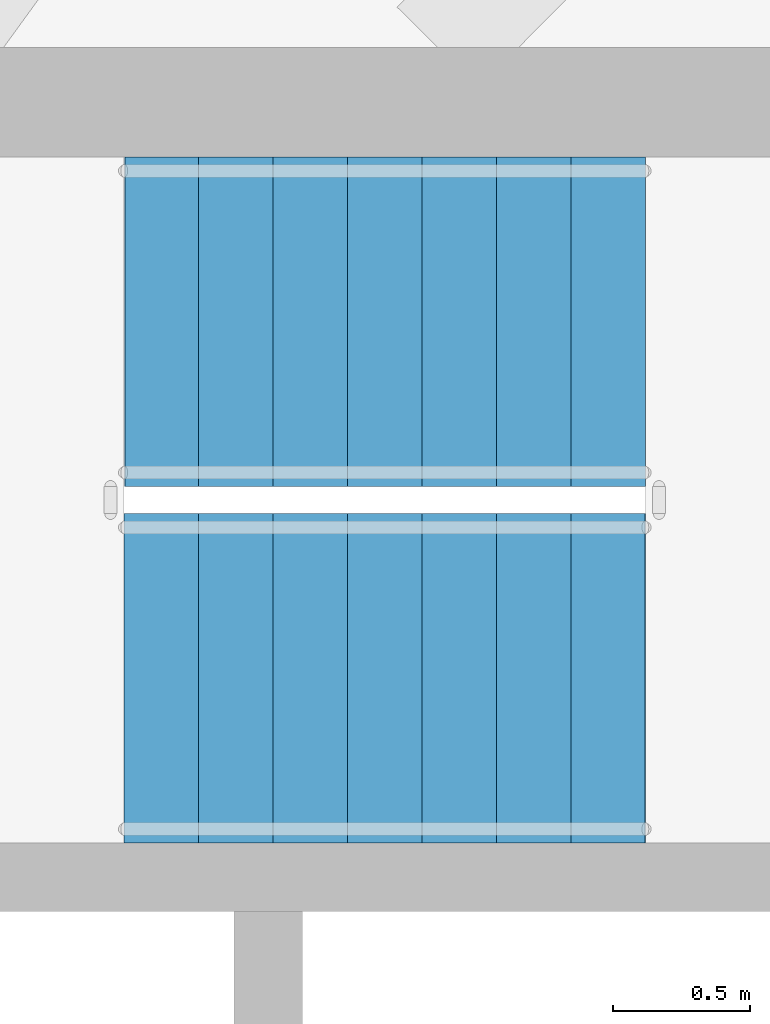
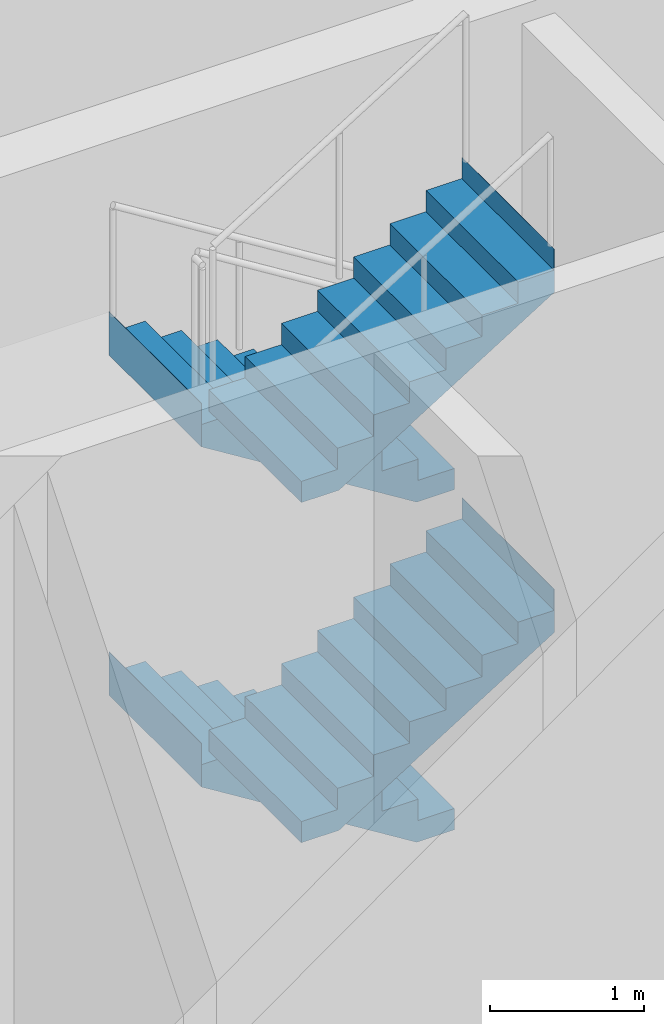
# One storey, part 10 of 17: 4 stair flights, 1 element without a shape of its own.
"""IFC4 building model written with IfcOpenShell, lengths in metres."""

from ifc_helpers import new_model, si_unit, direction, frame, origin, place, context, subcontext, project, spatial, triangles, material, type_object, element, aggregate, save


model = new_model("IFC4")

# Units and contexts
model_context = context("Model", 3, precision=1e-05, world=origin(), true_north=direction((0.0, 1.0)))
body_context = subcontext(model_context, "Body", "Model", "MODEL_VIEW")
ifc_project = project(units=[si_unit("LENGTHUNIT", "METRE"), si_unit("AREAUNIT", "SQUARE_METRE"), si_unit("VOLUMEUNIT", "CUBIC_METRE"), si_unit("PLANEANGLEUNIT", "RADIAN"), si_unit("MASSUNIT", "GRAM", prefix="KILO")], contexts=[model_context])

# Site, building, storey
site_placement = place(None, origin())
site = spatial("IfcSite", under=ifc_project, at=site_placement, CompositionType="ELEMENT")
building_placement = place(site_placement, origin())
building = spatial("IfcBuilding", under=site, at=building_placement, Name="Sahrelin Media Tower", CompositionType="ELEMENT")
storey_placement = place(building_placement, frame((0.0, 0.0, 249.60009765625)))
storey = spatial("IfcBuildingStorey", under=building, at=storey_placement, Name="L54", CompositionType="ELEMENT", Elevation=249.60009765625)

# Stair, stair flights
ifc_material = material(Name="Concrete C40/50", Category="concrete")
stair_type = type_object("IfcStairType", Name="Exit stair 1200", PredefinedType="HALF_TURN_STAIR", material=ifc_material)
stair_placement = place(storey_placement, origin())
stair = element("IfcStair", 1, at=stair_placement, inside=storey, type_object=stair_type, Name="L54 Exit stair ST3", PredefinedType="HALF_TURN_STAIR")
stair_flight_type = type_object("IfcStairFlightType", Name="Stair flight 1200", PredefinedType="STRAIGHT", material=ifc_material)
stair_flight_1_placement = place(storey_placement, frame((7.675048828125, 6.0, 0.0), z_axis=(0.0, 0.0, 1.0), x_axis=(-1.0, 0.0, 0.0)))
stair_flight_1 = element("IfcStairFlight", 2, at=stair_flight_1_placement, type_object=stair_flight_type, Name="ST3 flight 1", NumberOfRisers=8, NumberOfTreads=7, PredefinedType="STRAIGHT", RiserHeight=0.16875, TreadLength=0.271428571, context=body_context, shape_type="Tessellation", body=[
    triangles([(0.283935546875, 0.60009765625, 0.0), (0.283935546875, 0.300048828125, 0.0), (0.283935546875, 0.0, 0.0), (0.283935546875, -0.300048828125, 0.0), (0.283935546875, -0.60009765625, 0.0), (1.89990234375, 0.60009765625, 1.004638671875), (1.89990234375, 0.300048828125, 1.004638671875), (1.89990234375, 0.0, 1.004638671875), (1.89990234375, -0.300048828125, 1.004638671875), (1.89990234375, -0.60009765625, 1.004638671875), (1.89990234375, 0.60009765625, 1.35009765625), (1.89990234375, 0.300048828125, 1.35009765625), (1.89990234375, 0.0, 1.35009765625), (1.89990234375, -0.300048828125, 1.35009765625), (1.89990234375, -0.60009765625, 1.35009765625), (1.89794921875, 0.60009765625, 1.35009765625), (1.89794921875, 0.300048828125, 1.35009765625), (1.89794921875, 0.0, 1.35009765625), (1.89794921875, -0.300048828125, 1.35009765625), (1.89794921875, -0.60009765625, 1.35009765625), (1.89794921875, 0.60009765625, 1.18115234375), (1.89794921875, 0.300048828125, 1.18115234375), (1.89794921875, 0.0, 1.18115234375), (1.89794921875, -0.300048828125, 1.18115234375), (1.89794921875, -0.60009765625, 1.18115234375), (1.628662109375, 0.60009765625, 1.18115234375), (1.628662109375, 0.300048828125, 1.18115234375), (1.628662109375, 0.0, 1.18115234375), (1.628662109375, -0.300048828125, 1.18115234375), (1.628662109375, -0.60009765625, 1.18115234375), (1.628662109375, 0.60009765625, 1.012451171875), (1.628662109375, 0.300048828125, 1.012451171875), (1.628662109375, 0.0, 1.012451171875), (1.628662109375, -0.300048828125, 1.012451171875), (1.628662109375, -0.60009765625, 1.012451171875), (1.357177734375, 0.60009765625, 1.012451171875), (1.357177734375, 0.300048828125, 1.012451171875), (1.357177734375, 0.0, 1.012451171875), (1.357177734375, -0.300048828125, 1.012451171875), (1.357177734375, -0.60009765625, 1.012451171875), (1.357177734375, 0.60009765625, 0.84375), (1.357177734375, 0.300048828125, 0.84375), (1.357177734375, 0.0, 0.84375), (1.357177734375, -0.300048828125, 0.84375), (1.357177734375, -0.60009765625, 0.84375), (1.085693359375, 0.60009765625, 0.84375), (1.085693359375, 0.300048828125, 0.84375), (1.085693359375, 0.0, 0.84375), (1.085693359375, -0.300048828125, 0.84375), (1.085693359375, -0.60009765625, 0.84375), (1.085693359375, 0.60009765625, 0.675048828125), (1.085693359375, 0.300048828125, 0.675048828125), (1.085693359375, 0.0, 0.675048828125), (1.085693359375, -0.300048828125, 0.675048828125), (1.085693359375, -0.60009765625, 0.675048828125), (0.814208984375, 0.60009765625, 0.675048828125), (0.814208984375, 0.300048828125, 0.675048828125), (0.814208984375, 0.0, 0.675048828125), (0.814208984375, -0.300048828125, 0.675048828125), (0.814208984375, -0.60009765625, 0.675048828125), (0.814208984375, 0.60009765625, 0.50634765625), (0.814208984375, 0.300048828125, 0.50634765625), (0.814208984375, 0.0, 0.50634765625), (0.814208984375, -0.300048828125, 0.50634765625), (0.814208984375, -0.60009765625, 0.50634765625), (0.54296875, 0.60009765625, 0.50634765625), (0.54296875, 0.300048828125, 0.50634765625), (0.54296875, 0.0, 0.50634765625), (0.54296875, -0.300048828125, 0.50634765625), (0.54296875, -0.60009765625, 0.50634765625), (0.54296875, 0.60009765625, 0.33740234375), (0.54296875, 0.300048828125, 0.33740234375), (0.54296875, 0.0, 0.33740234375), (0.54296875, -0.300048828125, 0.33740234375), (0.54296875, -0.60009765625, 0.33740234375), (0.271484375, 0.60009765625, 0.33740234375), (0.271484375, 0.300048828125, 0.33740234375), (0.271484375, 0.0, 0.33740234375), (0.271484375, -0.300048828125, 0.33740234375), (0.271484375, -0.60009765625, 0.33740234375), (0.271484375, 0.60009765625, 0.168701171875), (0.271484375, 0.300048828125, 0.168701171875), (0.271484375, 0.0, 0.168701171875), (0.271484375, -0.300048828125, 0.168701171875), (0.271484375, -0.60009765625, 0.168701171875), (0.0, 0.60009765625, 0.168701171875), (0.0, 0.300048828125, 0.168701171875), (0.0, 0.0, 0.168701171875), (0.0, -0.300048828125, 0.168701171875), (0.0, -0.60009765625, 0.168701171875), (0.0, 0.60009765625, 0.0), (0.0, 0.300048828125, 0.0), (0.0, 0.0, 0.0), (0.0, -0.300048828125, 0.0), (0.0, -0.60009765625, 0.0)], [[1, 6, 7], [1, 7, 2], [2, 7, 8], [2, 8, 3], [3, 8, 9], [3, 9, 4], [4, 9, 10], [4, 10, 5], [6, 11, 12], [6, 12, 7], [7, 12, 13], [7, 13, 8], [8, 13, 14], [8, 14, 9], [9, 14, 15], [9, 15, 10], [11, 16, 17], [11, 17, 12], [12, 17, 18], [12, 18, 13], [13, 18, 19], [13, 19, 14], [14, 19, 20], [14, 20, 15], [16, 21, 22], [16, 22, 17], [17, 22, 23], [17, 23, 18], [18, 23, 24], [18, 24, 19], [19, 24, 25], [19, 25, 20], [21, 26, 27], [21, 27, 22], [22, 27, 28], [22, 28, 23], [23, 28, 29], [23, 29, 24], [24, 29, 30], [24, 30, 25], [26, 31, 32], [26, 32, 27], [27, 32, 33], [27, 33, 28], [28, 33, 34], [28, 34, 29], [29, 34, 35], [29, 35, 30], [31, 36, 37], [31, 37, 32], [32, 37, 38], [32, 38, 33], [33, 38, 39], [33, 39, 34], [34, 39, 40], [34, 40, 35], [36, 41, 42], [36, 42, 37], [37, 42, 43], [37, 43, 38], [38, 43, 44], [38, 44, 39], [39, 44, 45], [39, 45, 40], [41, 46, 47], [41, 47, 42], [42, 47, 48], [42, 48, 43], [43, 48, 49], [43, 49, 44], [44, 49, 50], [44, 50, 45], [46, 51, 52], [46, 52, 47], [47, 52, 53], [47, 53, 48], [48, 53, 54], [48, 54, 49], [49, 54, 55], [49, 55, 50], [51, 56, 57], [51, 57, 52], [52, 57, 58], [52, 58, 53], [53, 58, 59], [53, 59, 54], [54, 59, 60], [54, 60, 55], [56, 61, 62], [56, 62, 57], [57, 62, 63], [57, 63, 58], [58, 63, 64], [58, 64, 59], [59, 64, 65], [59, 65, 60], [61, 66, 67], [61, 67, 62], [62, 67, 68], [62, 68, 63], [63, 68, 69], [63, 69, 64], [64, 69, 70], [64, 70, 65], [66, 71, 72], [66, 72, 67], [67, 72, 73], [67, 73, 68], [68, 73, 74], [68, 74, 69], [69, 74, 75], [69, 75, 70], [71, 76, 77], [71, 77, 72], [72, 77, 78], [72, 78, 73], [73, 78, 79], [73, 79, 74], [74, 79, 80], [74, 80, 75], [76, 81, 82], [76, 82, 77], [77, 82, 83], [77, 83, 78], [78, 83, 84], [78, 84, 79], [79, 84, 85], [79, 85, 80], [81, 86, 87], [81, 87, 82], [82, 87, 88], [82, 88, 83], [83, 88, 89], [83, 89, 84], [84, 89, 90], [84, 90, 85], [86, 91, 92], [86, 92, 87], [87, 92, 93], [87, 93, 88], [88, 93, 94], [88, 94, 89], [89, 94, 95], [89, 95, 90], [91, 1, 2], [91, 2, 92], [92, 2, 3], [92, 3, 93], [93, 3, 4], [93, 4, 94], [94, 4, 5], [94, 5, 95], [85, 90, 95], [81, 91, 86], [85, 75, 80], [81, 76, 71], [75, 65, 70], [71, 66, 61], [65, 55, 60], [61, 56, 51], [55, 45, 50], [51, 46, 41], [45, 35, 40], [41, 36, 31], [35, 25, 30], [31, 26, 21], [25, 15, 20], [21, 16, 11], [95, 5, 85], [91, 81, 1], [5, 55, 65], [1, 61, 51], [25, 10, 15], [21, 11, 6], [75, 85, 5], [71, 1, 81], [10, 45, 55], [6, 51, 41], [35, 10, 25], [31, 21, 6], [65, 75, 5], [61, 1, 71], [45, 10, 35], [41, 31, 6], [5, 10, 55], [1, 51, 6]], closed=True),
])
stair_flight_2_placement = place(storey_placement, frame((5.77490234375, 4.699951171875, 1.349853515625), z_axis=(0.0, 0.0, 1.0), x_axis=(1.0, 0.0, 0.0)))
stair_flight_2 = element("IfcStairFlight", 3, at=stair_flight_2_placement, type_object=stair_flight_type, Name="ST3 flight 2", NumberOfRisers=8, NumberOfTreads=7, PredefinedType="STRAIGHT", RiserHeight=0.16875, TreadLength=0.271428571, context=body_context, shape_type="Tessellation", body=[
    triangles([(0.283935546875, 0.60009765625, 0.0), (0.283935546875, 0.300048828125, 0.0), (0.283935546875, 0.0, 0.0), (0.283935546875, -0.300048828125, 0.0), (0.283935546875, -0.60009765625, 0.0), (1.89990234375, 0.60009765625, 1.004638671875), (1.89990234375, 0.300048828125, 1.004638671875), (1.89990234375, 0.0, 1.004638671875), (1.89990234375, -0.300048828125, 1.004638671875), (1.89990234375, -0.60009765625, 1.004638671875), (1.89990234375, 0.60009765625, 1.35009765625), (1.89990234375, 0.300048828125, 1.35009765625), (1.89990234375, 0.0, 1.35009765625), (1.89990234375, -0.300048828125, 1.35009765625), (1.89990234375, -0.60009765625, 1.35009765625), (1.89794921875, 0.60009765625, 1.35009765625), (1.89794921875, 0.300048828125, 1.35009765625), (1.89794921875, 0.0, 1.35009765625), (1.89794921875, -0.300048828125, 1.35009765625), (1.89794921875, -0.60009765625, 1.35009765625), (1.89794921875, 0.60009765625, 1.18115234375), (1.89794921875, 0.300048828125, 1.18115234375), (1.89794921875, 0.0, 1.18115234375), (1.89794921875, -0.300048828125, 1.18115234375), (1.89794921875, -0.60009765625, 1.18115234375), (1.628662109375, 0.60009765625, 1.18115234375), (1.628662109375, 0.300048828125, 1.18115234375), (1.628662109375, 0.0, 1.18115234375), (1.628662109375, -0.300048828125, 1.18115234375), (1.628662109375, -0.60009765625, 1.18115234375), (1.628662109375, 0.60009765625, 1.012451171875), (1.628662109375, 0.300048828125, 1.012451171875), (1.628662109375, 0.0, 1.012451171875), (1.628662109375, -0.300048828125, 1.012451171875), (1.628662109375, -0.60009765625, 1.012451171875), (1.357177734375, 0.60009765625, 1.012451171875), (1.357177734375, 0.300048828125, 1.012451171875), (1.357177734375, 0.0, 1.012451171875), (1.357177734375, -0.300048828125, 1.012451171875), (1.357177734375, -0.60009765625, 1.012451171875), (1.357177734375, 0.60009765625, 0.84375), (1.357177734375, 0.300048828125, 0.84375), (1.357177734375, 0.0, 0.84375), (1.357177734375, -0.300048828125, 0.84375), (1.357177734375, -0.60009765625, 0.84375), (1.085693359375, 0.60009765625, 0.84375), (1.085693359375, 0.300048828125, 0.84375), (1.085693359375, 0.0, 0.84375), (1.085693359375, -0.300048828125, 0.84375), (1.085693359375, -0.60009765625, 0.84375), (1.085693359375, 0.60009765625, 0.675048828125), (1.085693359375, 0.300048828125, 0.675048828125), (1.085693359375, 0.0, 0.675048828125), (1.085693359375, -0.300048828125, 0.675048828125), (1.085693359375, -0.60009765625, 0.675048828125), (0.814208984375, 0.60009765625, 0.675048828125), (0.814208984375, 0.300048828125, 0.675048828125), (0.814208984375, 0.0, 0.675048828125), (0.814208984375, -0.300048828125, 0.675048828125), (0.814208984375, -0.60009765625, 0.675048828125), (0.814208984375, 0.60009765625, 0.50634765625), (0.814208984375, 0.300048828125, 0.50634765625), (0.814208984375, 0.0, 0.50634765625), (0.814208984375, -0.300048828125, 0.50634765625), (0.814208984375, -0.60009765625, 0.50634765625), (0.54296875, 0.60009765625, 0.50634765625), (0.54296875, 0.300048828125, 0.50634765625), (0.54296875, 0.0, 0.50634765625), (0.54296875, -0.300048828125, 0.50634765625), (0.54296875, -0.60009765625, 0.50634765625), (0.54296875, 0.60009765625, 0.33740234375), (0.54296875, 0.300048828125, 0.33740234375), (0.54296875, 0.0, 0.33740234375), (0.54296875, -0.300048828125, 0.33740234375), (0.54296875, -0.60009765625, 0.33740234375), (0.271484375, 0.60009765625, 0.33740234375), (0.271484375, 0.300048828125, 0.33740234375), (0.271484375, 0.0, 0.33740234375), (0.271484375, -0.300048828125, 0.33740234375), (0.271484375, -0.60009765625, 0.33740234375), (0.271484375, 0.60009765625, 0.168701171875), (0.271484375, 0.300048828125, 0.168701171875), (0.271484375, 0.0, 0.168701171875), (0.271484375, -0.300048828125, 0.168701171875), (0.271484375, -0.60009765625, 0.168701171875), (0.0, 0.60009765625, 0.168701171875), (0.0, 0.300048828125, 0.168701171875), (0.0, 0.0, 0.168701171875), (0.0, -0.300048828125, 0.168701171875), (0.0, -0.60009765625, 0.168701171875), (0.0, 0.60009765625, 0.0), (0.0, 0.300048828125, 0.0), (0.0, 0.0, 0.0), (0.0, -0.300048828125, 0.0), (0.0, -0.60009765625, 0.0)], [[1, 6, 7], [1, 7, 2], [2, 7, 8], [2, 8, 3], [3, 8, 9], [3, 9, 4], [4, 9, 10], [4, 10, 5], [6, 11, 12], [6, 12, 7], [7, 12, 13], [7, 13, 8], [8, 13, 14], [8, 14, 9], [9, 14, 15], [9, 15, 10], [11, 16, 17], [11, 17, 12], [12, 17, 18], [12, 18, 13], [13, 18, 19], [13, 19, 14], [14, 19, 20], [14, 20, 15], [16, 21, 22], [16, 22, 17], [17, 22, 23], [17, 23, 18], [18, 23, 24], [18, 24, 19], [19, 24, 25], [19, 25, 20], [21, 26, 27], [21, 27, 22], [22, 27, 28], [22, 28, 23], [23, 28, 29], [23, 29, 24], [24, 29, 30], [24, 30, 25], [26, 31, 32], [26, 32, 27], [27, 32, 33], [27, 33, 28], [28, 33, 34], [28, 34, 29], [29, 34, 35], [29, 35, 30], [31, 36, 37], [31, 37, 32], [32, 37, 38], [32, 38, 33], [33, 38, 39], [33, 39, 34], [34, 39, 40], [34, 40, 35], [36, 41, 42], [36, 42, 37], [37, 42, 43], [37, 43, 38], [38, 43, 44], [38, 44, 39], [39, 44, 45], [39, 45, 40], [41, 46, 47], [41, 47, 42], [42, 47, 48], [42, 48, 43], [43, 48, 49], [43, 49, 44], [44, 49, 50], [44, 50, 45], [46, 51, 52], [46, 52, 47], [47, 52, 53], [47, 53, 48], [48, 53, 54], [48, 54, 49], [49, 54, 55], [49, 55, 50], [51, 56, 57], [51, 57, 52], [52, 57, 58], [52, 58, 53], [53, 58, 59], [53, 59, 54], [54, 59, 60], [54, 60, 55], [56, 61, 62], [56, 62, 57], [57, 62, 63], [57, 63, 58], [58, 63, 64], [58, 64, 59], [59, 64, 65], [59, 65, 60], [61, 66, 67], [61, 67, 62], [62, 67, 68], [62, 68, 63], [63, 68, 69], [63, 69, 64], [64, 69, 70], [64, 70, 65], [66, 71, 72], [66, 72, 67], [67, 72, 73], [67, 73, 68], [68, 73, 74], [68, 74, 69], [69, 74, 75], [69, 75, 70], [71, 76, 77], [71, 77, 72], [72, 77, 78], [72, 78, 73], [73, 78, 79], [73, 79, 74], [74, 79, 80], [74, 80, 75], [76, 81, 82], [76, 82, 77], [77, 82, 83], [77, 83, 78], [78, 83, 84], [78, 84, 79], [79, 84, 85], [79, 85, 80], [81, 86, 87], [81, 87, 82], [82, 87, 88], [82, 88, 83], [83, 88, 89], [83, 89, 84], [84, 89, 90], [84, 90, 85], [86, 91, 92], [86, 92, 87], [87, 92, 93], [87, 93, 88], [88, 93, 94], [88, 94, 89], [89, 94, 95], [89, 95, 90], [91, 1, 2], [91, 2, 92], [92, 2, 3], [92, 3, 93], [93, 3, 4], [93, 4, 94], [94, 4, 5], [94, 5, 95], [85, 90, 95], [81, 91, 86], [85, 75, 80], [81, 76, 71], [75, 65, 70], [71, 66, 61], [65, 55, 60], [61, 56, 51], [55, 45, 50], [51, 46, 41], [45, 35, 40], [41, 36, 31], [35, 25, 30], [31, 26, 21], [25, 15, 20], [21, 16, 11], [95, 5, 85], [91, 81, 1], [5, 55, 65], [1, 61, 51], [25, 10, 15], [21, 11, 6], [75, 85, 5], [71, 1, 81], [10, 45, 55], [6, 51, 41], [35, 10, 25], [31, 21, 6], [65, 75, 5], [61, 1, 71], [45, 10, 35], [41, 31, 6], [5, 10, 55], [1, 51, 6]], closed=True),
])
stair_flight_3_placement = place(storey_placement, frame((7.675048828125, 6.0, 2.699951171875), z_axis=(0.0, 0.0, 1.0), x_axis=(-1.0, 0.0, 0.0)))
stair_flight_3 = element("IfcStairFlight", 4, at=stair_flight_3_placement, type_object=stair_flight_type, Name="ST3 flight 3", NumberOfRisers=8, NumberOfTreads=7, PredefinedType="STRAIGHT", RiserHeight=0.16875, TreadLength=0.271428571, context=body_context, shape_type="Tessellation", body=[
    triangles([(0.283935546875, 0.60009765625, 0.0), (0.283935546875, 0.300048828125, 0.0), (0.283935546875, 0.0, 0.0), (0.283935546875, -0.300048828125, 0.0), (0.283935546875, -0.60009765625, 0.0), (1.89990234375, 0.60009765625, 1.004638671875), (1.89990234375, 0.300048828125, 1.004638671875), (1.89990234375, 0.0, 1.004638671875), (1.89990234375, -0.300048828125, 1.004638671875), (1.89990234375, -0.60009765625, 1.004638671875), (1.89990234375, 0.60009765625, 1.35009765625), (1.89990234375, 0.300048828125, 1.35009765625), (1.89990234375, 0.0, 1.35009765625), (1.89990234375, -0.300048828125, 1.35009765625), (1.89990234375, -0.60009765625, 1.35009765625), (1.89794921875, 0.60009765625, 1.35009765625), (1.89794921875, 0.300048828125, 1.35009765625), (1.89794921875, 0.0, 1.35009765625), (1.89794921875, -0.300048828125, 1.35009765625), (1.89794921875, -0.60009765625, 1.35009765625), (1.89794921875, 0.60009765625, 1.18115234375), (1.89794921875, 0.300048828125, 1.18115234375), (1.89794921875, 0.0, 1.18115234375), (1.89794921875, -0.300048828125, 1.18115234375), (1.89794921875, -0.60009765625, 1.18115234375), (1.628662109375, 0.60009765625, 1.18115234375), (1.628662109375, 0.300048828125, 1.18115234375), (1.628662109375, 0.0, 1.18115234375), (1.628662109375, -0.300048828125, 1.18115234375), (1.628662109375, -0.60009765625, 1.18115234375), (1.628662109375, 0.60009765625, 1.012451171875), (1.628662109375, 0.300048828125, 1.012451171875), (1.628662109375, 0.0, 1.012451171875), (1.628662109375, -0.300048828125, 1.012451171875), (1.628662109375, -0.60009765625, 1.012451171875), (1.357177734375, 0.60009765625, 1.012451171875), (1.357177734375, 0.300048828125, 1.012451171875), (1.357177734375, 0.0, 1.012451171875), (1.357177734375, -0.300048828125, 1.012451171875), (1.357177734375, -0.60009765625, 1.012451171875), (1.357177734375, 0.60009765625, 0.84375), (1.357177734375, 0.300048828125, 0.84375), (1.357177734375, 0.0, 0.84375), (1.357177734375, -0.300048828125, 0.84375), (1.357177734375, -0.60009765625, 0.84375), (1.085693359375, 0.60009765625, 0.84375), (1.085693359375, 0.300048828125, 0.84375), (1.085693359375, 0.0, 0.84375), (1.085693359375, -0.300048828125, 0.84375), (1.085693359375, -0.60009765625, 0.84375), (1.085693359375, 0.60009765625, 0.675048828125), (1.085693359375, 0.300048828125, 0.675048828125), (1.085693359375, 0.0, 0.675048828125), (1.085693359375, -0.300048828125, 0.675048828125), (1.085693359375, -0.60009765625, 0.675048828125), (0.814208984375, 0.60009765625, 0.675048828125), (0.814208984375, 0.300048828125, 0.675048828125), (0.814208984375, 0.0, 0.675048828125), (0.814208984375, -0.300048828125, 0.675048828125), (0.814208984375, -0.60009765625, 0.675048828125), (0.814208984375, 0.60009765625, 0.50634765625), (0.814208984375, 0.300048828125, 0.50634765625), (0.814208984375, 0.0, 0.50634765625), (0.814208984375, -0.300048828125, 0.50634765625), (0.814208984375, -0.60009765625, 0.50634765625), (0.54296875, 0.60009765625, 0.50634765625), (0.54296875, 0.300048828125, 0.50634765625), (0.54296875, 0.0, 0.50634765625), (0.54296875, -0.300048828125, 0.50634765625), (0.54296875, -0.60009765625, 0.50634765625), (0.54296875, 0.60009765625, 0.33740234375), (0.54296875, 0.300048828125, 0.33740234375), (0.54296875, 0.0, 0.33740234375), (0.54296875, -0.300048828125, 0.33740234375), (0.54296875, -0.60009765625, 0.33740234375), (0.271484375, 0.60009765625, 0.33740234375), (0.271484375, 0.300048828125, 0.33740234375), (0.271484375, 0.0, 0.33740234375), (0.271484375, -0.300048828125, 0.33740234375), (0.271484375, -0.60009765625, 0.33740234375), (0.271484375, 0.60009765625, 0.168701171875), (0.271484375, 0.300048828125, 0.168701171875), (0.271484375, 0.0, 0.168701171875), (0.271484375, -0.300048828125, 0.168701171875), (0.271484375, -0.60009765625, 0.168701171875), (0.0, 0.60009765625, 0.168701171875), (0.0, 0.300048828125, 0.168701171875), (0.0, 0.0, 0.168701171875), (0.0, -0.300048828125, 0.168701171875), (0.0, -0.60009765625, 0.168701171875), (0.0, 0.60009765625, 0.0), (0.0, 0.300048828125, 0.0), (0.0, 0.0, 0.0), (0.0, -0.300048828125, 0.0), (0.0, -0.60009765625, 0.0)], [[1, 6, 7], [1, 7, 2], [2, 7, 8], [2, 8, 3], [3, 8, 9], [3, 9, 4], [4, 9, 10], [4, 10, 5], [6, 11, 12], [6, 12, 7], [7, 12, 13], [7, 13, 8], [8, 13, 14], [8, 14, 9], [9, 14, 15], [9, 15, 10], [11, 16, 17], [11, 17, 12], [12, 17, 18], [12, 18, 13], [13, 18, 19], [13, 19, 14], [14, 19, 20], [14, 20, 15], [16, 21, 22], [16, 22, 17], [17, 22, 23], [17, 23, 18], [18, 23, 24], [18, 24, 19], [19, 24, 25], [19, 25, 20], [21, 26, 27], [21, 27, 22], [22, 27, 28], [22, 28, 23], [23, 28, 29], [23, 29, 24], [24, 29, 30], [24, 30, 25], [26, 31, 32], [26, 32, 27], [27, 32, 33], [27, 33, 28], [28, 33, 34], [28, 34, 29], [29, 34, 35], [29, 35, 30], [31, 36, 37], [31, 37, 32], [32, 37, 38], [32, 38, 33], [33, 38, 39], [33, 39, 34], [34, 39, 40], [34, 40, 35], [36, 41, 42], [36, 42, 37], [37, 42, 43], [37, 43, 38], [38, 43, 44], [38, 44, 39], [39, 44, 45], [39, 45, 40], [41, 46, 47], [41, 47, 42], [42, 47, 48], [42, 48, 43], [43, 48, 49], [43, 49, 44], [44, 49, 50], [44, 50, 45], [46, 51, 52], [46, 52, 47], [47, 52, 53], [47, 53, 48], [48, 53, 54], [48, 54, 49], [49, 54, 55], [49, 55, 50], [51, 56, 57], [51, 57, 52], [52, 57, 58], [52, 58, 53], [53, 58, 59], [53, 59, 54], [54, 59, 60], [54, 60, 55], [56, 61, 62], [56, 62, 57], [57, 62, 63], [57, 63, 58], [58, 63, 64], [58, 64, 59], [59, 64, 65], [59, 65, 60], [61, 66, 67], [61, 67, 62], [62, 67, 68], [62, 68, 63], [63, 68, 69], [63, 69, 64], [64, 69, 70], [64, 70, 65], [66, 71, 72], [66, 72, 67], [67, 72, 73], [67, 73, 68], [68, 73, 74], [68, 74, 69], [69, 74, 75], [69, 75, 70], [71, 76, 77], [71, 77, 72], [72, 77, 78], [72, 78, 73], [73, 78, 79], [73, 79, 74], [74, 79, 80], [74, 80, 75], [76, 81, 82], [76, 82, 77], [77, 82, 83], [77, 83, 78], [78, 83, 84], [78, 84, 79], [79, 84, 85], [79, 85, 80], [81, 86, 87], [81, 87, 82], [82, 87, 88], [82, 88, 83], [83, 88, 89], [83, 89, 84], [84, 89, 90], [84, 90, 85], [86, 91, 92], [86, 92, 87], [87, 92, 93], [87, 93, 88], [88, 93, 94], [88, 94, 89], [89, 94, 95], [89, 95, 90], [91, 1, 2], [91, 2, 92], [92, 2, 3], [92, 3, 93], [93, 3, 4], [93, 4, 94], [94, 4, 5], [94, 5, 95], [85, 90, 95], [81, 91, 86], [85, 75, 80], [81, 76, 71], [75, 65, 70], [71, 66, 61], [65, 55, 60], [61, 56, 51], [55, 45, 50], [51, 46, 41], [45, 35, 40], [41, 36, 31], [35, 25, 30], [31, 26, 21], [25, 15, 20], [21, 16, 11], [95, 5, 85], [91, 81, 1], [5, 55, 65], [1, 61, 51], [25, 10, 15], [21, 11, 6], [75, 85, 5], [71, 1, 81], [10, 45, 55], [6, 51, 41], [35, 10, 25], [31, 21, 6], [65, 75, 5], [61, 1, 71], [45, 10, 35], [41, 31, 6], [5, 10, 55], [1, 51, 6]], closed=True),
])
stair_flight_4_placement = place(storey_placement, frame((5.77490234375, 4.699951171875, 4.0498046875), z_axis=(0.0, 0.0, 1.0), x_axis=(1.0, 0.0, 0.0)))
stair_flight_4 = element("IfcStairFlight", 5, at=stair_flight_4_placement, type_object=stair_flight_type, Name="ST3 flight 4", NumberOfRisers=8, NumberOfTreads=7, PredefinedType="STRAIGHT", RiserHeight=0.16875, TreadLength=0.271428571, context=body_context, shape_type="Tessellation", body=[
    triangles([(0.283935546875, 0.60009765625, 0.0), (0.283935546875, 0.300048828125, 0.0), (0.283935546875, 0.0, 0.0), (0.283935546875, -0.300048828125, 0.0), (0.283935546875, -0.60009765625, 0.0), (1.89990234375, 0.60009765625, 1.004638671875), (1.89990234375, 0.300048828125, 1.004638671875), (1.89990234375, 0.0, 1.004638671875), (1.89990234375, -0.300048828125, 1.004638671875), (1.89990234375, -0.60009765625, 1.004638671875), (1.89990234375, 0.60009765625, 1.35009765625), (1.89990234375, 0.300048828125, 1.35009765625), (1.89990234375, 0.0, 1.35009765625), (1.89990234375, -0.300048828125, 1.35009765625), (1.89990234375, -0.60009765625, 1.35009765625), (1.89794921875, 0.60009765625, 1.35009765625), (1.89794921875, 0.300048828125, 1.35009765625), (1.89794921875, 0.0, 1.35009765625), (1.89794921875, -0.300048828125, 1.35009765625), (1.89794921875, -0.60009765625, 1.35009765625), (1.89794921875, 0.60009765625, 1.18115234375), (1.89794921875, 0.300048828125, 1.18115234375), (1.89794921875, 0.0, 1.18115234375), (1.89794921875, -0.300048828125, 1.18115234375), (1.89794921875, -0.60009765625, 1.18115234375), (1.628662109375, 0.60009765625, 1.18115234375), (1.628662109375, 0.300048828125, 1.18115234375), (1.628662109375, 0.0, 1.18115234375), (1.628662109375, -0.300048828125, 1.18115234375), (1.628662109375, -0.60009765625, 1.18115234375), (1.628662109375, 0.60009765625, 1.012451171875), (1.628662109375, 0.300048828125, 1.012451171875), (1.628662109375, 0.0, 1.012451171875), (1.628662109375, -0.300048828125, 1.012451171875), (1.628662109375, -0.60009765625, 1.012451171875), (1.357177734375, 0.60009765625, 1.012451171875), (1.357177734375, 0.300048828125, 1.012451171875), (1.357177734375, 0.0, 1.012451171875), (1.357177734375, -0.300048828125, 1.012451171875), (1.357177734375, -0.60009765625, 1.012451171875), (1.357177734375, 0.60009765625, 0.84375), (1.357177734375, 0.300048828125, 0.84375), (1.357177734375, 0.0, 0.84375), (1.357177734375, -0.300048828125, 0.84375), (1.357177734375, -0.60009765625, 0.84375), (1.085693359375, 0.60009765625, 0.84375), (1.085693359375, 0.300048828125, 0.84375), (1.085693359375, 0.0, 0.84375), (1.085693359375, -0.300048828125, 0.84375), (1.085693359375, -0.60009765625, 0.84375), (1.085693359375, 0.60009765625, 0.675048828125), (1.085693359375, 0.300048828125, 0.675048828125), (1.085693359375, 0.0, 0.675048828125), (1.085693359375, -0.300048828125, 0.675048828125), (1.085693359375, -0.60009765625, 0.675048828125), (0.814208984375, 0.60009765625, 0.675048828125), (0.814208984375, 0.300048828125, 0.675048828125), (0.814208984375, 0.0, 0.675048828125), (0.814208984375, -0.300048828125, 0.675048828125), (0.814208984375, -0.60009765625, 0.675048828125), (0.814208984375, 0.60009765625, 0.50634765625), (0.814208984375, 0.300048828125, 0.50634765625), (0.814208984375, 0.0, 0.50634765625), (0.814208984375, -0.300048828125, 0.50634765625), (0.814208984375, -0.60009765625, 0.50634765625), (0.54296875, 0.60009765625, 0.50634765625), (0.54296875, 0.300048828125, 0.50634765625), (0.54296875, 0.0, 0.50634765625), (0.54296875, -0.300048828125, 0.50634765625), (0.54296875, -0.60009765625, 0.50634765625), (0.54296875, 0.60009765625, 0.33740234375), (0.54296875, 0.300048828125, 0.33740234375), (0.54296875, 0.0, 0.33740234375), (0.54296875, -0.300048828125, 0.33740234375), (0.54296875, -0.60009765625, 0.33740234375), (0.271484375, 0.60009765625, 0.33740234375), (0.271484375, 0.300048828125, 0.33740234375), (0.271484375, 0.0, 0.33740234375), (0.271484375, -0.300048828125, 0.33740234375), (0.271484375, -0.60009765625, 0.33740234375), (0.271484375, 0.60009765625, 0.168701171875), (0.271484375, 0.300048828125, 0.168701171875), (0.271484375, 0.0, 0.168701171875), (0.271484375, -0.300048828125, 0.168701171875), (0.271484375, -0.60009765625, 0.168701171875), (0.0, 0.60009765625, 0.168701171875), (0.0, 0.300048828125, 0.168701171875), (0.0, 0.0, 0.168701171875), (0.0, -0.300048828125, 0.168701171875), (0.0, -0.60009765625, 0.168701171875), (0.0, 0.60009765625, 0.0), (0.0, 0.300048828125, 0.0), (0.0, 0.0, 0.0), (0.0, -0.300048828125, 0.0), (0.0, -0.60009765625, 0.0)], [[1, 6, 7], [1, 7, 2], [2, 7, 8], [2, 8, 3], [3, 8, 9], [3, 9, 4], [4, 9, 10], [4, 10, 5], [6, 11, 12], [6, 12, 7], [7, 12, 13], [7, 13, 8], [8, 13, 14], [8, 14, 9], [9, 14, 15], [9, 15, 10], [11, 16, 17], [11, 17, 12], [12, 17, 18], [12, 18, 13], [13, 18, 19], [13, 19, 14], [14, 19, 20], [14, 20, 15], [16, 21, 22], [16, 22, 17], [17, 22, 23], [17, 23, 18], [18, 23, 24], [18, 24, 19], [19, 24, 25], [19, 25, 20], [21, 26, 27], [21, 27, 22], [22, 27, 28], [22, 28, 23], [23, 28, 29], [23, 29, 24], [24, 29, 30], [24, 30, 25], [26, 31, 32], [26, 32, 27], [27, 32, 33], [27, 33, 28], [28, 33, 34], [28, 34, 29], [29, 34, 35], [29, 35, 30], [31, 36, 37], [31, 37, 32], [32, 37, 38], [32, 38, 33], [33, 38, 39], [33, 39, 34], [34, 39, 40], [34, 40, 35], [36, 41, 42], [36, 42, 37], [37, 42, 43], [37, 43, 38], [38, 43, 44], [38, 44, 39], [39, 44, 45], [39, 45, 40], [41, 46, 47], [41, 47, 42], [42, 47, 48], [42, 48, 43], [43, 48, 49], [43, 49, 44], [44, 49, 50], [44, 50, 45], [46, 51, 52], [46, 52, 47], [47, 52, 53], [47, 53, 48], [48, 53, 54], [48, 54, 49], [49, 54, 55], [49, 55, 50], [51, 56, 57], [51, 57, 52], [52, 57, 58], [52, 58, 53], [53, 58, 59], [53, 59, 54], [54, 59, 60], [54, 60, 55], [56, 61, 62], [56, 62, 57], [57, 62, 63], [57, 63, 58], [58, 63, 64], [58, 64, 59], [59, 64, 65], [59, 65, 60], [61, 66, 67], [61, 67, 62], [62, 67, 68], [62, 68, 63], [63, 68, 69], [63, 69, 64], [64, 69, 70], [64, 70, 65], [66, 71, 72], [66, 72, 67], [67, 72, 73], [67, 73, 68], [68, 73, 74], [68, 74, 69], [69, 74, 75], [69, 75, 70], [71, 76, 77], [71, 77, 72], [72, 77, 78], [72, 78, 73], [73, 78, 79], [73, 79, 74], [74, 79, 80], [74, 80, 75], [76, 81, 82], [76, 82, 77], [77, 82, 83], [77, 83, 78], [78, 83, 84], [78, 84, 79], [79, 84, 85], [79, 85, 80], [81, 86, 87], [81, 87, 82], [82, 87, 88], [82, 88, 83], [83, 88, 89], [83, 89, 84], [84, 89, 90], [84, 90, 85], [86, 91, 92], [86, 92, 87], [87, 92, 93], [87, 93, 88], [88, 93, 94], [88, 94, 89], [89, 94, 95], [89, 95, 90], [91, 1, 2], [91, 2, 92], [92, 2, 3], [92, 3, 93], [93, 3, 4], [93, 4, 94], [94, 4, 5], [94, 5, 95], [85, 90, 95], [81, 91, 86], [85, 75, 80], [81, 76, 71], [75, 65, 70], [71, 66, 61], [65, 55, 60], [61, 56, 51], [55, 45, 50], [51, 46, 41], [45, 35, 40], [41, 36, 31], [35, 25, 30], [31, 26, 21], [25, 15, 20], [21, 16, 11], [95, 5, 85], [91, 81, 1], [5, 55, 65], [1, 61, 51], [25, 10, 15], [21, 11, 6], [75, 85, 5], [71, 1, 81], [10, 45, 55], [6, 51, 41], [35, 10, 25], [31, 21, 6], [65, 75, 5], [61, 1, 71], [45, 10, 35], [41, 31, 6], [5, 10, 55], [1, 51, 6]], closed=True),
])
aggregate(stair, [stair_flight_1, stair_flight_2, stair_flight_3, stair_flight_4])

save(model, "model.ifc")
